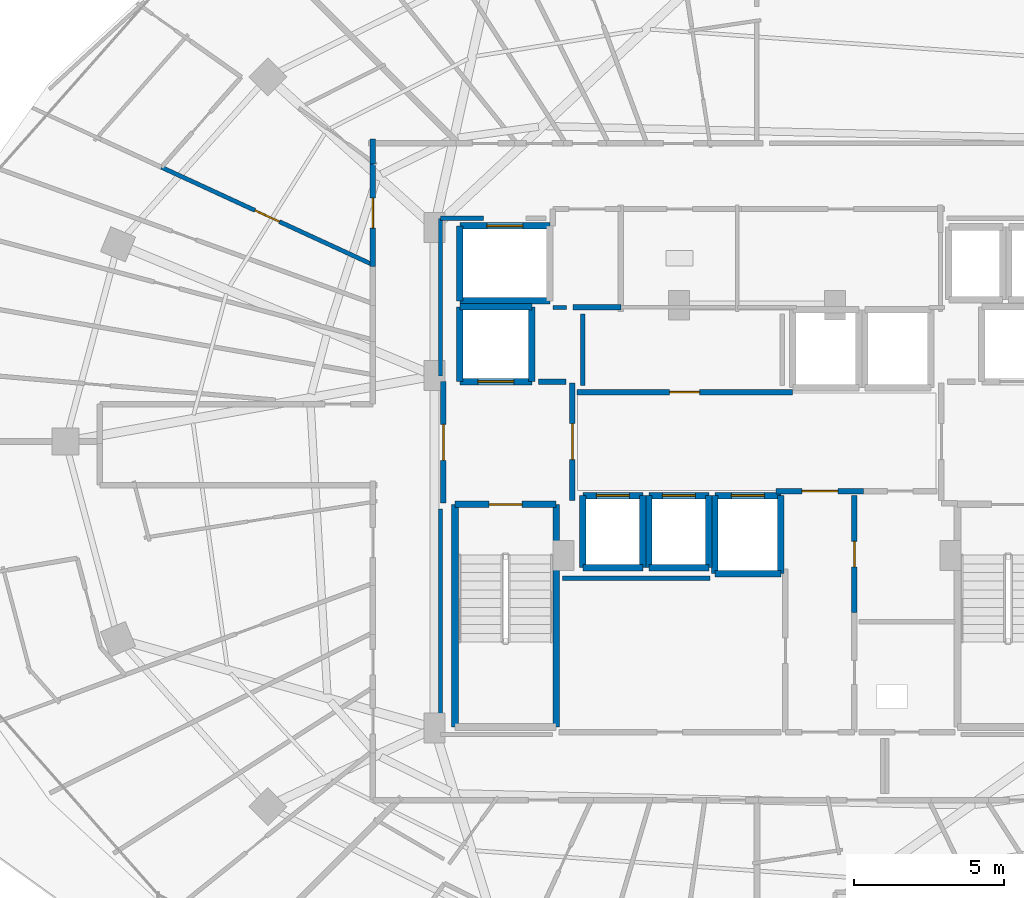
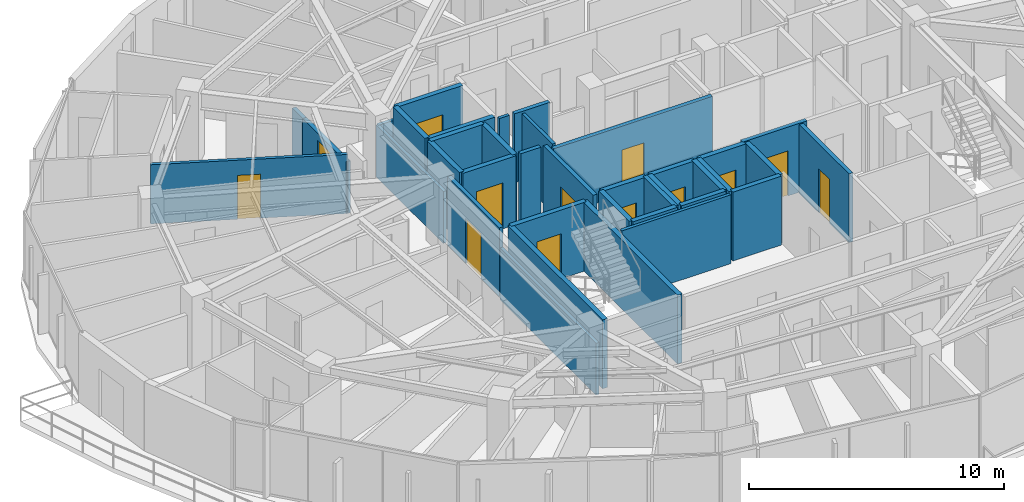
# One storey, part 25 of 32: 38 walls, 13 doors, 13 openings.
"""IFC4 building model written with IfcOpenShell, lengths in metres."""

from ifc_helpers import new_model, si_unit, direction, frame, frame_2d, origin, place, context, subcontext, project, spatial, rectangle, extrude, material, layer, layer_set, type_object, element, fill, save


model = new_model("IFC4")

# Units and contexts
model_context = context("Model", 3, precision=1e-05, world=origin(), true_north=direction((0.0, 1.0)))
body_context = subcontext(model_context, "Body", "Model", "MODEL_VIEW")
ifc_project = project(units=[si_unit("LENGTHUNIT", "METRE"), si_unit("AREAUNIT", "SQUARE_METRE"), si_unit("VOLUMEUNIT", "CUBIC_METRE"), si_unit("PLANEANGLEUNIT", "RADIAN"), si_unit("MASSUNIT", "GRAM", prefix="KILO")], contexts=[model_context])

# Site, building, storey
site_placement = place(None, origin())
site = spatial("IfcSite", under=ifc_project, at=site_placement, CompositionType="ELEMENT")
building_placement = place(site_placement, origin())
building = spatial("IfcBuilding", under=site, at=building_placement, Name="Vorneva Point Tower", CompositionType="ELEMENT")
storey_placement = place(building_placement, frame((0.0, 0.0, 207.199951171875)))
storey = spatial("IfcBuildingStorey", under=building, at=storey_placement, Name="L56", CompositionType="ELEMENT", Elevation=207.199951171875)

# Wall, opening, door
ifc_material_1 = material(Name="Concrete B60 (C50/60)", Category="concrete")
ifc_layer_1 = layer(ifc_material_1, 0.35009765625)
ifc_layer_set_1 = layer_set([ifc_layer_1], Name="Concrete B60 (C50/60)")
wall_type_1 = type_object("IfcWallType", Name="WL-CORE-350", PredefinedType="SHEAR", material=ifc_layer_set_1)
wall_1_placement = place(storey_placement, frame((28.10009765625, 28.0, 0.0), z_axis=(0.0, 0.0, 1.0), x_axis=(1.0, 0.0, 0.0)))
wall_1 = element("IfcWall", 1, at=wall_1_placement, inside=storey, type_object=wall_type_1, Name="L56 Lift FFL1 Shaft Wall -Y", PredefinedType="SHEAR", context=body_context, shape_type="SweptSolid", body=[
    extrude(rectangle(XDim=2.39990234375, YDim=0.219970703125, at=frame_2d((1.199951171875, 0.0))), origin(), (0.0, 0.0, 1.0), 3.2900390625),
])
opening_1_placement = place(wall_1_placement, frame((0.60009765625, 0.0, 0.0)))
opening_1 = element("IfcOpeningElement", 2, at=opening_1_placement, cuts=wall_1, Name="Opening LD-02", PredefinedType="OPENING", context=body_context, shape_type="SweptSolid", body=[
    extrude(rectangle(XDim=1.199951171875, YDim=2.199951171875, at=frame_2d((0.60009765625, 1.10009765625))), frame((0.0, 0.125, 0.0), z_axis=(0.0, -1.0, 0.0), x_axis=(1.0, 0.0, 0.0)), (0.0, 0.0, 1.0), 0.249755859375),
])
ifc_material_2 = material(Name="Brushed stainless steel S304", Category="steel")
door_type_1 = type_object("IfcDoorType", Name="LD-FIRE-1200", OperationType="SLIDING_TO_LEFT", PredefinedType="DOOR", material=ifc_material_2)
door_1_placement = place(opening_1_placement, origin())
door_1 = element("IfcDoor", 3, at=door_1_placement, inside=storey, type_object=door_type_1, Name="L56 Lift FFL1 Sliding Landing Door", OperationType="SLIDING_TO_LEFT", OverallHeight=2.199951171875, OverallWidth=1.199951171875, PredefinedType="DOOR", context=body_context, shape_type="SweptSolid", body=[
    extrude(rectangle(XDim=1.199951171875, YDim=2.199951171875, at=frame_2d((0.60009765625, 1.10009765625))), frame((0.0, 0.02490234375, 0.0), z_axis=(0.0, -1.0, 0.0), x_axis=(1.0, 0.0, 0.0)), (0.0, 0.0, 1.0), 0.050048828125),
])
fill(opening_1, door_1)

# Walls
wall_2_placement = place(storey_placement, frame((30.5, 28.0, 0.0), z_axis=(0.0, 0.0, 1.0), x_axis=(0.0, 1.0, 0.0)))
element("IfcWall", 4, at=wall_2_placement, inside=storey, type_object=wall_type_1, Name="L56 Lift FFL1 Shaft Wall +X", PredefinedType="SHEAR", context=body_context, shape_type="SweptSolid", body=[
    extrude(rectangle(XDim=2.5, YDim=0.219970703125, at=frame_2d((1.25, 0.0))), origin(), (0.0, 0.0, 1.0), 3.2900390625),
])
wall_3_placement = place(storey_placement, frame((30.5, 30.5, 0.0), z_axis=(0.0, 0.0, 1.0), x_axis=(-1.0, 0.0, 0.0)))
element("IfcWall", 5, at=wall_3_placement, inside=storey, type_object=wall_type_1, Name="L56 Lift FFL1 Shaft Wall +Y", PredefinedType="SHEAR", context=body_context, shape_type="SweptSolid", body=[
    extrude(rectangle(XDim=2.39990234375, YDim=0.219970703125, at=frame_2d((1.199951171875, 0.0))), origin(), (0.0, 0.0, 1.0), 3.2900390625),
])
wall_4_placement = place(storey_placement, frame((28.10009765625, 30.5, 0.0), z_axis=(0.0, 0.0, 1.0), x_axis=(0.0, -1.0, 0.0)))
element("IfcWall", 6, at=wall_4_placement, inside=storey, type_object=wall_type_1, Name="L56 Lift FFL1 Shaft Wall -X", PredefinedType="SHEAR", context=body_context, shape_type="SweptSolid", body=[
    extrude(rectangle(XDim=2.5, YDim=0.219970703125, at=frame_2d((1.25, 0.0))), origin(), (0.0, 0.0, 1.0), 3.2900390625),
])

# Wall, opening, door
ifc_material_3 = material(Name="Fire-rated acoustic gypsum stud partition", Category="gypsum")
ifc_layer_2 = layer(ifc_material_3, 0.139892578125)
ifc_layer_set_2 = layer_set([ifc_layer_2], Name="Fire-rated acoustic gypsum stud partition")
wall_type_2 = type_object("IfcWallType", Name="WL-PART-140", PredefinedType="PARTITIONING", material=ifc_layer_set_2)
wall_5_placement = place(storey_placement, frame((18.15185546875, 35.14990234375, 0.0), z_axis=(0.0, 0.0, 1.0), x_axis=(0.908152637685, -0.418639208227, 0.0)))
wall_5 = element("IfcWall", 7, at=wall_5_placement, inside=storey, type_object=wall_type_2, Name="L56 Interior Partition 091", PredefinedType="PARTITIONING", context=body_context, shape_type="SweptSolid", body=[
    extrude(rectangle(XDim=7.760986328125, YDim=0.139892578125, at=frame_2d((3.88037109375, 0.0))), origin(), (0.0, 0.0, 1.0), 2.823974609375),
])
opening_2_placement = place(wall_5_placement, frame((3.430419921875, 0.0, 0.0)))
opening_2 = element("IfcOpeningElement", 8, at=opening_2_placement, cuts=wall_5, Name="Opening ID-01", PredefinedType="OPENING", context=body_context, shape_type="SweptSolid", body=[
    extrude(rectangle(XDim=0.89990234375, YDim=2.10009765625, at=frame_2d((0.449951171875, 1.050048828125))), frame((0.0, 0.0849609375, 0.0), z_axis=(0.0, -1.0, 0.0), x_axis=(1.0, 0.0, 0.0)), (0.0, 0.0, 1.0), 0.169677734375),
])
ifc_material_4 = material(Name="Engineered oak fire-rated door leaf", Category="wood")
door_type_2 = type_object("IfcDoorType", Name="DR-ROOM-900", OperationType="NOTDEFINED", PredefinedType="DOOR", material=ifc_material_4)
door_2_placement = place(opening_2_placement, origin())
door_2 = element("IfcDoor", 9, at=door_2_placement, inside=storey, type_object=door_type_2, Name="L56 Door Living and Dining Room L56-02 / Master Bedroom L56-02.1", OperationType="SINGLE_SWING_RIGHT", OverallHeight=2.10009765625, OverallWidth=0.89990234375, PredefinedType="DOOR", context=body_context, shape_type="SweptSolid", body=[
    extrude(rectangle(XDim=0.89990234375, YDim=2.10009765625, at=frame_2d((0.449951171875, 1.050048828125))), frame((0.0, 0.02490234375, 0.0), z_axis=(0.0, -1.0, 0.0), x_axis=(1.0, 0.0, 0.0)), (0.0, 0.0, 1.0), 0.050048828125),
])
fill(opening_2, door_2)

# Walls
wall_6_placement = place(storey_placement, frame((31.199951171875, 30.47998046875, 0.0), z_axis=(0.0, 0.0, 1.0), x_axis=(1.0, 0.0, 0.0)))
element("IfcWall", 10, at=wall_6_placement, inside=storey, type_object=wall_type_2, Name="L56 Interior Closure Partition 151", PredefinedType="PARTITIONING", context=body_context, shape_type="SweptSolid", body=[
    extrude(rectangle(XDim=0.449951171875, YDim=0.139892578125, at=frame_2d((0.22509765625, 0.0))), origin(), (0.0, 0.0, 1.0), 3.2900390625),
])
wall_7_placement = place(storey_placement, frame((36.43896484375, 21.449951171875, 0.0), z_axis=(0.0, 0.0, 1.0), x_axis=(-1.0, 0.0, 0.0)))
element("IfcWall", 11, at=wall_7_placement, inside=storey, type_object=wall_type_2, Name="L56 Interior Closure Partition 154", PredefinedType="PARTITIONING", context=body_context, shape_type="SweptSolid", body=[
    extrude(rectangle(XDim=4.908935546875, YDim=0.139892578125, at=frame_2d((2.45458984375, 0.0))), origin(), (0.0, 0.0, 1.0), 3.2900390625),
])
wall_8_placement = place(storey_placement, frame((32.199951171875, 30.260009765625, 0.0), z_axis=(0.0, 0.0, 1.0), x_axis=(0.0, -1.0, 0.0)))
element("IfcWall", 12, at=wall_8_placement, inside=storey, type_object=wall_type_2, Name="L56 Interior Closure Partition 155", PredefinedType="PARTITIONING", context=body_context, shape_type="SweptSolid", body=[
    extrude(rectangle(XDim=2.389892578125, YDim=0.139892578125, at=frame_2d((1.19482421875, 0.0))), origin(), (0.0, 0.0, 1.0), 3.2900390625),
])
wall_9_placement = place(storey_placement, frame((28.89404296875, 33.449951171875, 0.0), z_axis=(0.0, 0.0, 1.0), x_axis=(-1.0, 0.0, 0.0)))
element("IfcWall", 13, at=wall_9_placement, inside=storey, type_object=wall_type_2, Name="L56 Interior Closure Partition 163", PredefinedType="PARTITIONING", context=body_context, shape_type="SweptSolid", body=[
    extrude(rectangle(XDim=1.444091796875, YDim=0.139892578125, at=frame_2d((0.72216796875, 0.0))), origin(), (0.0, 0.0, 1.0), 2.48193359375),
])
wall_10_placement = place(storey_placement, frame((27.449951171875, 33.449951171875, 0.0), z_axis=(0.0, 0.0, 1.0), x_axis=(0.0, -1.0, 0.0)))
element("IfcWall", 14, at=wall_10_placement, inside=storey, type_object=wall_type_2, Name="L56 Interior Closure Partition 164", PredefinedType="PARTITIONING", context=body_context, shape_type="SweptSolid", body=[
    extrude(rectangle(XDim=5.25390625, YDim=0.139892578125, at=frame_2d((2.626953125, 0.0))), origin(), (0.0, 0.0, 1.0), 2.48193359375),
])
wall_11_placement = place(storey_placement, frame((27.449951171875, 23.75390625, 0.0), z_axis=(0.0, 0.0, 1.0), x_axis=(0.0, -1.0, 0.0)))
element("IfcWall", 15, at=wall_11_placement, inside=storey, type_object=wall_type_2, Name="L56 Interior Closure Partition 165", PredefinedType="PARTITIONING", context=body_context, shape_type="SweptSolid", body=[
    extrude(rectangle(XDim=7.513916015625, YDim=0.139892578125, at=frame_2d((3.7568359375, 0.0))), origin(), (0.0, 0.0, 1.0), 2.48193359375),
])

# Wall, opening, door
ifc_material_5 = material(Name="Autoclaved aerated concrete blockwork", Category="masonry")
ifc_layer_3 = layer(ifc_material_5, 0.179931640625)
ifc_layer_set_3 = layer_set([ifc_layer_3], Name="Autoclaved aerated concrete blockwork")
wall_type_3 = type_object("IfcWallType", Name="WL-PART-180", PredefinedType="PARTITIONING", material=ifc_layer_set_3)
wall_12_placement = place(storey_placement, frame((31.85009765625, 24.044921875, 0.0), z_axis=(0.0, 0.0, 1.0), x_axis=(0.0, 1.0, 0.0)))
wall_12 = element("IfcWall", 16, at=wall_12_placement, inside=storey, type_object=wall_type_3, Name="L56 Interior Partition 001", PredefinedType="PARTITIONING", context=body_context, shape_type="SweptSolid", body=[
    extrude(rectangle(XDim=3.91015625, YDim=0.179931640625, at=frame_2d((1.955078125, 0.0))), origin(), (0.0, 0.0, 1.0), 3.2900390625),
])
opening_3_placement = place(wall_12_placement, frame((1.35498046875, 0.0, 0.0)))
opening_3 = element("IfcOpeningElement", 17, at=opening_3_placement, cuts=wall_12, Name="Opening FD-02", PredefinedType="OPENING", context=body_context, shape_type="SweptSolid", body=[
    extrude(rectangle(XDim=1.199951171875, YDim=2.14990234375, at=frame_2d((0.60009765625, 1.074951171875))), frame((0.0, 0.10498046875, 0.0), z_axis=(0.0, -1.0, 0.0), x_axis=(1.0, 0.0, 0.0)), (0.0, 0.0, 1.0), 0.209716796875),
])
ifc_material_6 = material(Name="Fire-rated powder-coated steel", Category="steel")
door_type_3 = type_object("IfcDoorType", Name="DR-FFL-1200", OperationType="NOTDEFINED", PredefinedType="DOOR", material=ifc_material_6)
door_3_placement = place(opening_3_placement, origin())
door_3 = element("IfcDoor", 18, at=door_3_placement, inside=storey, type_object=door_type_3, Name="L56 Door West Firefighting Lobby / Central Lift Lobby", OperationType="SINGLE_SWING_RIGHT", OverallHeight=2.14990234375, OverallWidth=1.199951171875, PredefinedType="DOOR", context=body_context, shape_type="SweptSolid", body=[
    extrude(rectangle(XDim=1.199951171875, YDim=2.14990234375, at=frame_2d((0.60009765625, 1.074951171875))), frame((0.0, 0.02490234375, 0.0), z_axis=(0.0, -1.0, 0.0), x_axis=(1.0, 0.0, 0.0)), (0.0, 0.0, 1.0), 0.050048828125),
])
fill(opening_3, door_3)

wall_13_placement = place(storey_placement, frame((27.550048828125, 28.0, 0.0), z_axis=(0.0, 0.0, 1.0), x_axis=(0.0, -1.0, 0.0)))
wall_13 = element("IfcWall", 19, at=wall_13_placement, inside=storey, type_object=wall_type_3, Name="L56 Interior Partition 002", PredefinedType="PARTITIONING", context=body_context, shape_type="SweptSolid", body=[
    extrude(rectangle(XDim=4.050048828125, YDim=0.179931640625, at=frame_2d((2.02490234375, 0.0))), origin(), (0.0, 0.0, 1.0), 3.2900390625),
])
opening_4_placement = place(wall_13_placement, frame((1.425048828125, 0.0, 0.0)))
opening_4 = element("IfcOpeningElement", 20, at=opening_4_placement, cuts=wall_13, Name="Opening FD-02", PredefinedType="OPENING", context=body_context, shape_type="SweptSolid", body=[
    extrude(rectangle(XDim=1.199951171875, YDim=2.14990234375, at=frame_2d((0.60009765625, 1.074951171875))), frame((0.0, 0.10498046875, 0.0), z_axis=(0.0, -1.0, 0.0), x_axis=(1.0, 0.0, 0.0)), (0.0, 0.0, 1.0), 0.209716796875),
])
door_4_placement = place(opening_4_placement, origin())
door_4 = element("IfcDoor", 21, at=door_4_placement, inside=storey, type_object=door_type_3, Name="L56 Door West Firefighting Lobby / L56 Circulation Corridor", OperationType="SINGLE_SWING_RIGHT", OverallHeight=2.14990234375, OverallWidth=1.199951171875, PredefinedType="DOOR", context=body_context, shape_type="SweptSolid", body=[
    extrude(rectangle(XDim=1.199951171875, YDim=2.14990234375, at=frame_2d((0.60009765625, 1.074951171875))), frame((0.0, 0.02490234375, 0.0), z_axis=(0.0, -1.0, 0.0), x_axis=(1.0, 0.0, 0.0)), (0.0, 0.0, 1.0), 0.050048828125),
])
fill(opening_4, door_4)

# Wall
wall_14_placement = place(storey_placement, frame((31.8701171875, 30.47998046875, 0.0), z_axis=(0.0, 0.0, 1.0), x_axis=(1.0, 0.0, 0.0)))
element("IfcWall", 22, at=wall_14_placement, inside=storey, type_object=wall_type_3, Name="L56 Interior Partition 007", PredefinedType="PARTITIONING", context=body_context, shape_type="SweptSolid", body=[
    extrude(rectangle(XDim=1.599853515625, YDim=0.179931640625, at=frame_2d((0.7998046875, 0.0))), origin(), (0.0, 0.0, 1.0), 3.2900390625),
])

# Wall, opening, door
wall_15_placement = place(storey_placement, frame((38.64501953125, 24.35009765625, 0.0), z_axis=(0.0, 0.0, 1.0), x_axis=(1.0, 0.0, 0.0)))
wall_15 = element("IfcWall", 23, at=wall_15_placement, inside=storey, type_object=wall_type_3, Name="L56 Interior Partition 010", PredefinedType="PARTITIONING", context=body_context, shape_type="SweptSolid", body=[
    extrude(rectangle(XDim=2.909912109375, YDim=0.179931640625, at=frame_2d((1.455078125, 0.0))), origin(), (0.0, 0.0, 1.0), 3.2900390625),
])
opening_5_placement = place(wall_15_placement, frame((0.85498046875, 0.0, 0.0)))
opening_5 = element("IfcOpeningElement", 24, at=opening_5_placement, cuts=wall_15, Name="Opening FD-02", PredefinedType="OPENING", context=body_context, shape_type="SweptSolid", body=[
    extrude(rectangle(XDim=1.199951171875, YDim=2.14990234375, at=frame_2d((0.60009765625, 1.074951171875))), frame((0.0, 0.10498046875, 0.0), z_axis=(0.0, -1.0, 0.0), x_axis=(1.0, 0.0, 0.0)), (0.0, 0.0, 1.0), 0.209716796875),
])
door_5_placement = place(opening_5_placement, origin())
door_5 = element("IfcDoor", 25, at=door_5_placement, inside=storey, type_object=door_type_3, Name="L56 Door Central Lift Lobby / Core Service Lobby", OperationType="SINGLE_SWING_LEFT", OverallHeight=2.14990234375, OverallWidth=1.199951171875, PredefinedType="DOOR", context=body_context, shape_type="SweptSolid", body=[
    extrude(rectangle(XDim=1.199951171875, YDim=2.14990234375, at=frame_2d((0.60009765625, 1.074951171875))), frame((0.0, 0.02490234375, 0.0), z_axis=(0.0, -1.0, 0.0), x_axis=(1.0, 0.0, 0.0)), (0.0, 0.0, 1.0), 0.050048828125),
])
fill(opening_5, door_5)

wall_16_placement = place(storey_placement, frame((39.18994140625, 27.64990234375, 0.0), z_axis=(0.0, 0.0, 1.0), x_axis=(-1.0, 0.0, 0.0)))
wall_16 = element("IfcWall", 26, at=wall_16_placement, inside=storey, type_object=wall_type_3, Name="L56 Interior Partition 012", PredefinedType="PARTITIONING", context=body_context, shape_type="SweptSolid", body=[
    extrude(rectangle(XDim=7.18994140625, YDim=0.179931640625, at=frame_2d((3.594970703125, 0.0))), origin(), (0.0, 0.0, 1.0), 3.2900390625),
])
opening_6_placement = place(wall_16_placement, frame((3.094970703125, 0.0, 0.0)))
opening_6 = element("IfcOpeningElement", 27, at=opening_6_placement, cuts=wall_16, Name="Opening UD-01", PredefinedType="OPENING", context=body_context, shape_type="SweptSolid", body=[
    extrude(rectangle(XDim=1.0, YDim=2.14990234375, at=frame_2d((0.5, 1.074951171875))), frame((0.0, 0.10498046875, 0.0), z_axis=(0.0, -1.0, 0.0), x_axis=(1.0, 0.0, 0.0)), (0.0, 0.0, 1.0), 0.209716796875),
])
door_type_4 = type_object("IfcDoorType", Name="DR-UNIT-1000", OperationType="NOTDEFINED", PredefinedType="DOOR", material=ifc_material_4)
door_6_placement = place(opening_6_placement, origin())
door_6 = element("IfcDoor", 28, at=door_6_placement, inside=storey, type_object=door_type_4, Name="L56 Door Central Lift Lobby / Reclaimed Core Meeting Room", OperationType="SINGLE_SWING_LEFT", OverallHeight=2.14990234375, OverallWidth=1.0, PredefinedType="DOOR", context=body_context, shape_type="SweptSolid", body=[
    extrude(rectangle(XDim=1.0, YDim=2.14990234375, at=frame_2d((0.5, 1.074951171875))), frame((0.0, 0.02490234375, 0.0), z_axis=(0.0, -1.0, 0.0), x_axis=(1.0, 0.0, 0.0)), (0.0, 0.0, 1.0), 0.050048828125),
])
fill(opening_6, door_6)

wall_17_placement = place(storey_placement, frame((41.25, 20.304931640625, 0.0), z_axis=(0.0, 0.0, 1.0), x_axis=(0.0, 1.0, 0.0)))
wall_17 = element("IfcWall", 29, at=wall_17_placement, inside=storey, type_object=wall_type_3, Name="L56 Interior Partition 014", PredefinedType="PARTITIONING", context=body_context, shape_type="SweptSolid", body=[
    extrude(rectangle(XDim=3.89501953125, YDim=0.179931640625, at=frame_2d((1.947509765625, 0.0))), origin(), (0.0, 0.0, 1.0), 3.2900390625),
])
opening_7_placement = place(wall_17_placement, frame((1.5224609375, 0.0, 0.0)))
opening_7 = element("IfcOpeningElement", 30, at=opening_7_placement, cuts=wall_17, Name="Opening ID-02", PredefinedType="OPENING", context=body_context, shape_type="SweptSolid", body=[
    extrude(rectangle(XDim=0.85009765625, YDim=2.10009765625, at=frame_2d((0.425048828125, 1.050048828125))), frame((0.0, 0.10498046875, 0.0), z_axis=(0.0, -1.0, 0.0), x_axis=(1.0, 0.0, 0.0)), (0.0, 0.0, 1.0), 0.209716796875),
])
door_type_5 = type_object("IfcDoorType", Name="DR-BATH-850", OperationType="NOTDEFINED", PredefinedType="DOOR", material=ifc_material_4)
door_7_placement = place(opening_7_placement, origin())
door_7 = element("IfcDoor", 31, at=door_7_placement, inside=storey, type_object=door_type_5, Name="L56 Door Core Service Lobby / Cleaners Store", OperationType="SINGLE_SWING_LEFT", OverallHeight=2.10009765625, OverallWidth=0.85009765625, PredefinedType="DOOR", context=body_context, shape_type="SweptSolid", body=[
    extrude(rectangle(XDim=0.85009765625, YDim=2.10009765625, at=frame_2d((0.425048828125, 1.050048828125))), frame((0.0, 0.02490234375, 0.0), z_axis=(0.0, -1.0, 0.0), x_axis=(1.0, 0.0, 0.0)), (0.0, 0.0, 1.0), 0.050048828125),
])
fill(opening_7, door_7)

wall_18_placement = place(storey_placement, frame((25.199951171875, 35.404052734375, 0.0), z_axis=(0.0, 0.0, 1.0), x_axis=(0.0, -1.0, 0.0)))
wall_18 = element("IfcWall", 32, at=wall_18_placement, inside=storey, type_object=wall_type_3, Name="L56 Interior Partition 032", PredefinedType="PARTITIONING", context=body_context, shape_type="SweptSolid", body=[
    extrude(rectangle(XDim=3.56298828125, YDim=0.179931640625, at=frame_2d((1.781494140625, 0.0))), origin(), (0.0, 0.0, 1.0), 2.48193359375),
])
opening_8_placement = place(wall_18_placement, frame((1.281494140625, 0.0, 0.0)))
opening_8 = element("IfcOpeningElement", 33, at=opening_8_placement, cuts=wall_18, Name="Opening UD-01", PredefinedType="OPENING", context=body_context, shape_type="SweptSolid", body=[
    extrude(rectangle(XDim=1.0, YDim=2.14990234375, at=frame_2d((0.5, 1.074951171875))), frame((0.0, 0.10498046875, 0.0), z_axis=(0.0, -1.0, 0.0), x_axis=(1.0, 0.0, 0.0)), (0.0, 0.0, 1.0), 0.209716796875),
])
door_8_placement = place(opening_8_placement, origin())
door_8 = element("IfcDoor", 34, at=door_8_placement, inside=storey, type_object=door_type_4, Name="L56 Door L56 Circulation Corridor / Living and Dining Room L56-02", OperationType="SINGLE_SWING_LEFT", OverallHeight=2.14990234375, OverallWidth=1.0, PredefinedType="DOOR", context=body_context, shape_type="SweptSolid", body=[
    extrude(rectangle(XDim=1.0, YDim=2.14990234375, at=frame_2d((0.5, 1.074951171875))), frame((0.0, 0.02490234375, 0.0), z_axis=(0.0, -1.0, 0.0), x_axis=(1.0, 0.0, 0.0)), (0.0, 0.0, 1.0), 0.050048828125),
])
fill(opening_8, door_8)

# Walls
wall_19_placement = place(storey_placement, frame((25.199951171875, 36.090087890625, 0.0), z_axis=(0.0, 0.0, 1.0), x_axis=(0.0, -1.0, 0.0)))
element("IfcWall", 35, at=wall_19_placement, inside=storey, type_object=wall_type_3, Name="L56 Interior Partition 034", PredefinedType="PARTITIONING", context=body_context, shape_type="SweptSolid", body=[
    extrude(rectangle(XDim=0.826171875, YDim=0.179931640625, at=frame_2d((0.4130859375, 0.0))), origin(), (0.0, 0.0, 1.0), 2.48193359375),
])
wall_20_placement = place(storey_placement, frame((31.635009765625, 28.0, 0.0), z_axis=(0.0, 0.0, 1.0), x_axis=(-1.0, 0.0, 0.0)))
element("IfcWall", 36, at=wall_20_placement, inside=storey, type_object=wall_type_3, Name="L56 Interior Closure Partition 149", PredefinedType="PARTITIONING", context=body_context, shape_type="SweptSolid", body=[
    extrude(rectangle(XDim=0.9150390625, YDim=0.179931640625, at=frame_2d((0.45751953125, 0.0))), origin(), (0.0, 0.0, 1.0), 3.2900390625),
])

# Wall, opening, door
ifc_material_7 = material(Name="Concrete B50 (C40/50)", Category="concrete")
ifc_layer_4 = layer(ifc_material_7, 0.219970703125)
ifc_layer_set_4 = layer_set([ifc_layer_4], Name="Concrete B50 (C40/50)")
wall_type_4 = type_object("IfcWallType", Name="WL-SHFT-220", PredefinedType="SOLIDWALL", material=ifc_layer_set_4)
wall_21_placement = place(storey_placement, frame((27.93994140625, 23.909912109375, 0.0), z_axis=(0.0, 0.0, 1.0), x_axis=(1.0, 0.0, 0.0)))
wall_21 = element("IfcWall", 37, at=wall_21_placement, inside=storey, type_object=wall_type_4, Name="L56 Exit Stair ST1 Shaft Wall near", PredefinedType="SOLIDWALL", context=body_context, shape_type="SweptSolid", body=[
    extrude(rectangle(XDim=3.3701171875, YDim=0.219970703125, at=frame_2d((1.68505859375, 0.0))), origin(), (0.0, 0.0, 1.0), 3.2900390625),
])
opening_9_placement = place(wall_21_placement, frame((1.135009765625, 0.0, 0.0)))
opening_9 = element("IfcOpeningElement", 38, at=opening_9_placement, cuts=wall_21, Name="Opening FD-01", PredefinedType="OPENING", context=body_context, shape_type="SweptSolid", body=[
    extrude(rectangle(XDim=1.10009765625, YDim=2.14990234375, at=frame_2d((0.550048828125, 1.074951171875))), frame((0.0, 0.125, 0.0), z_axis=(0.0, -1.0, 0.0), x_axis=(1.0, 0.0, 0.0)), (0.0, 0.0, 1.0), 0.249755859375),
])
door_type_6 = type_object("IfcDoorType", Name="DR-STAIR-1100", OperationType="NOTDEFINED", PredefinedType="DOOR", material=ifc_material_6)
door_9_placement = place(opening_9_placement, origin())
door_9 = element("IfcDoor", 39, at=door_9_placement, inside=storey, type_object=door_type_6, Name="L56 Exit Stair ST1 Fire Door", OperationType="SINGLE_SWING_RIGHT", OverallHeight=2.14990234375, OverallWidth=1.10009765625, PredefinedType="DOOR", context=body_context, shape_type="SweptSolid", body=[
    extrude(rectangle(XDim=1.10009765625, YDim=2.14990234375, at=frame_2d((0.550048828125, 1.074951171875))), frame((0.0, 0.02490234375, 0.0), z_axis=(0.0, -1.0, 0.0), x_axis=(1.0, 0.0, 0.0)), (0.0, 0.0, 1.0), 0.050048828125),
])
fill(opening_9, door_9)

# Walls
for number, where, z_axis, x_axis, name in (
    (40, (31.31005859375, 23.909912109375, 0.0), (0.0, 0.0, 1.0), (0.0, -1.0, 0.0), "L56 Exit Stair ST1 Shaft Wall right"),
    (41, (27.93994140625, 16.489990234375, 0.0), (0.0, 0.0, 1.0), (0.0, 1.0, 0.0), "L56 Exit Stair ST1 Shaft Wall left"),
):
    element("IfcWall", number, at=place(storey_placement, frame(where, z_axis=z_axis, x_axis=x_axis)), inside=storey, type_object=wall_type_4, Name=name, PredefinedType="SOLIDWALL", context=body_context, shape_type="SweptSolid", body=[
        extrude(rectangle(XDim=7.419921875, YDim=0.219970703125, at=frame_2d((3.7099609375, 0.0))), origin(), (0.0, 0.0, 1.0), 3.2900390625),
    ])
wall_22_placement = place(storey_placement, frame((32.199951171875, 21.800048828125, 0.0), z_axis=(0.0, 0.0, 1.0), x_axis=(1.0, 0.0, 0.0)))
element("IfcWall", 42, at=wall_22_placement, inside=storey, type_object=wall_type_4, Name="L56 Lift PL4 Shaft Wall -Y", PredefinedType="SOLIDWALL", context=body_context, shape_type="SweptSolid", body=[
    extrude(rectangle(XDim=2.0, YDim=0.219970703125, at=frame_2d((1.0, 0.0))), origin(), (0.0, 0.0, 1.0), 3.2900390625),
])
wall_23_placement = place(storey_placement, frame((34.199951171875, 21.800048828125, 0.0), z_axis=(0.0, 0.0, 1.0), x_axis=(0.0, 1.0, 0.0)))
element("IfcWall", 43, at=wall_23_placement, inside=storey, type_object=wall_type_4, Name="L56 Lift PL4 Shaft Wall +X", PredefinedType="SOLIDWALL", context=body_context, shape_type="SweptSolid", body=[
    extrude(rectangle(XDim=2.39990234375, YDim=0.219970703125, at=frame_2d((1.199951171875, 0.0))), origin(), (0.0, 0.0, 1.0), 3.2900390625),
])

# Wall, opening, door
wall_24_placement = place(storey_placement, frame((34.199951171875, 24.199951171875, 0.0), z_axis=(0.0, 0.0, 1.0), x_axis=(-1.0, 0.0, 0.0)))
wall_24 = element("IfcWall", 44, at=wall_24_placement, inside=storey, type_object=wall_type_4, Name="L56 Lift PL4 Shaft Wall +Y", PredefinedType="SOLIDWALL", context=body_context, shape_type="SweptSolid", body=[
    extrude(rectangle(XDim=2.0, YDim=0.219970703125, at=frame_2d((1.0, 0.0))), origin(), (0.0, 0.0, 1.0), 3.2900390625),
])
opening_10_placement = place(wall_24_placement, frame((0.449951171875, 0.0, 0.0)))
opening_10 = element("IfcOpeningElement", 45, at=opening_10_placement, cuts=wall_24, Name="Opening LD-01", PredefinedType="OPENING", context=body_context, shape_type="SweptSolid", body=[
    extrude(rectangle(XDim=1.10009765625, YDim=2.199951171875, at=frame_2d((0.550048828125, 1.10009765625))), frame((0.0, 0.125, 0.0), z_axis=(0.0, -1.0, 0.0), x_axis=(1.0, 0.0, 0.0)), (0.0, 0.0, 1.0), 0.249755859375),
])
door_type_7 = type_object("IfcDoorType", Name="LD-PASS-1100", OperationType="SLIDING_TO_LEFT", PredefinedType="DOOR", material=ifc_material_2)
door_10_placement = place(opening_10_placement, origin())
door_10 = element("IfcDoor", 46, at=door_10_placement, inside=storey, type_object=door_type_7, Name="L56 Lift PL4 Sliding Landing Door", OperationType="SLIDING_TO_LEFT", OverallHeight=2.199951171875, OverallWidth=1.10009765625, PredefinedType="DOOR", context=body_context, shape_type="SweptSolid", body=[
    extrude(rectangle(XDim=1.10009765625, YDim=2.199951171875, at=frame_2d((0.550048828125, 1.10009765625))), frame((0.0, 0.02490234375, 0.0), z_axis=(0.0, -1.0, 0.0), x_axis=(1.0, 0.0, 0.0)), (0.0, 0.0, 1.0), 0.050048828125),
])
fill(opening_10, door_10)

# Walls
wall_25_placement = place(storey_placement, frame((32.199951171875, 24.199951171875, 0.0), z_axis=(0.0, 0.0, 1.0), x_axis=(0.0, -1.0, 0.0)))
element("IfcWall", 47, at=wall_25_placement, inside=storey, type_object=wall_type_4, Name="L56 Lift PL4 Shaft Wall -X", PredefinedType="SOLIDWALL", context=body_context, shape_type="SweptSolid", body=[
    extrude(rectangle(XDim=2.39990234375, YDim=0.219970703125, at=frame_2d((1.199951171875, 0.0))), origin(), (0.0, 0.0, 1.0), 3.2900390625),
])
wall_26_placement = place(storey_placement, frame((34.39990234375, 21.800048828125, 0.0), z_axis=(0.0, 0.0, 1.0), x_axis=(1.0, 0.0, 0.0)))
element("IfcWall", 48, at=wall_26_placement, inside=storey, type_object=wall_type_4, Name="L56 Lift PL5 Shaft Wall -Y", PredefinedType="SOLIDWALL", context=body_context, shape_type="SweptSolid", body=[
    extrude(rectangle(XDim=2.0, YDim=0.219970703125, at=frame_2d((1.0, 0.0))), origin(), (0.0, 0.0, 1.0), 3.2900390625),
])
wall_27_placement = place(storey_placement, frame((36.39990234375, 21.800048828125, 0.0), z_axis=(0.0, 0.0, 1.0), x_axis=(0.0, 1.0, 0.0)))
element("IfcWall", 49, at=wall_27_placement, inside=storey, type_object=wall_type_4, Name="L56 Lift PL5 Shaft Wall +X", PredefinedType="SOLIDWALL", context=body_context, shape_type="SweptSolid", body=[
    extrude(rectangle(XDim=2.39990234375, YDim=0.219970703125, at=frame_2d((1.199951171875, 0.0))), origin(), (0.0, 0.0, 1.0), 3.2900390625),
])

# Wall, opening, door
wall_28_placement = place(storey_placement, frame((36.39990234375, 24.199951171875, 0.0), z_axis=(0.0, 0.0, 1.0), x_axis=(-1.0, 0.0, 0.0)))
wall_28 = element("IfcWall", 50, at=wall_28_placement, inside=storey, type_object=wall_type_4, Name="L56 Lift PL5 Shaft Wall +Y", PredefinedType="SOLIDWALL", context=body_context, shape_type="SweptSolid", body=[
    extrude(rectangle(XDim=2.0, YDim=0.219970703125, at=frame_2d((1.0, 0.0))), origin(), (0.0, 0.0, 1.0), 3.2900390625),
])
opening_11_placement = place(wall_28_placement, frame((0.449951171875, 0.0, 0.0)))
opening_11 = element("IfcOpeningElement", 51, at=opening_11_placement, cuts=wall_28, Name="Opening LD-01", PredefinedType="OPENING", context=body_context, shape_type="SweptSolid", body=[
    extrude(rectangle(XDim=1.10009765625, YDim=2.199951171875, at=frame_2d((0.550048828125, 1.10009765625))), frame((0.0, 0.125, 0.0), z_axis=(0.0, -1.0, 0.0), x_axis=(1.0, 0.0, 0.0)), (0.0, 0.0, 1.0), 0.249755859375),
])
door_11_placement = place(opening_11_placement, origin())
door_11 = element("IfcDoor", 52, at=door_11_placement, inside=storey, type_object=door_type_7, Name="L56 Lift PL5 Sliding Landing Door", OperationType="SLIDING_TO_LEFT", OverallHeight=2.199951171875, OverallWidth=1.10009765625, PredefinedType="DOOR", context=body_context, shape_type="SweptSolid", body=[
    extrude(rectangle(XDim=1.10009765625, YDim=2.199951171875, at=frame_2d((0.550048828125, 1.10009765625))), frame((0.0, 0.02490234375, 0.0), z_axis=(0.0, -1.0, 0.0), x_axis=(1.0, 0.0, 0.0)), (0.0, 0.0, 1.0), 0.050048828125),
])
fill(opening_11, door_11)

# Walls
wall_29_placement = place(storey_placement, frame((34.39990234375, 24.199951171875, 0.0), z_axis=(0.0, 0.0, 1.0), x_axis=(0.0, -1.0, 0.0)))
element("IfcWall", 53, at=wall_29_placement, inside=storey, type_object=wall_type_4, Name="L56 Lift PL5 Shaft Wall -X", PredefinedType="SOLIDWALL", context=body_context, shape_type="SweptSolid", body=[
    extrude(rectangle(XDim=2.39990234375, YDim=0.219970703125, at=frame_2d((1.199951171875, 0.0))), origin(), (0.0, 0.0, 1.0), 3.2900390625),
])
wall_30_placement = place(storey_placement, frame((36.60009765625, 21.60009765625, 0.0), z_axis=(0.0, 0.0, 1.0), x_axis=(1.0, 0.0, 0.0)))
element("IfcWall", 54, at=wall_30_placement, inside=storey, type_object=wall_type_4, Name="L56 Lift PL6 Shaft Wall -Y", PredefinedType="SOLIDWALL", context=body_context, shape_type="SweptSolid", body=[
    extrude(rectangle(XDim=2.199951171875, YDim=0.219970703125, at=frame_2d((1.10009765625, 0.0))), origin(), (0.0, 0.0, 1.0), 3.2900390625),
])
wall_31_placement = place(storey_placement, frame((38.800048828125, 21.60009765625, 0.0), z_axis=(0.0, 0.0, 1.0), x_axis=(0.0, 1.0, 0.0)))
element("IfcWall", 55, at=wall_31_placement, inside=storey, type_object=wall_type_4, Name="L56 Lift PL6 Shaft Wall +X", PredefinedType="SOLIDWALL", context=body_context, shape_type="SweptSolid", body=[
    extrude(rectangle(XDim=2.599853515625, YDim=0.219970703125, at=frame_2d((1.2998046875, 0.0))), origin(), (0.0, 0.0, 1.0), 3.2900390625),
])

# Wall, opening, door
wall_32_placement = place(storey_placement, frame((38.800048828125, 24.199951171875, 0.0), z_axis=(0.0, 0.0, 1.0), x_axis=(-1.0, 0.0, 0.0)))
wall_32 = element("IfcWall", 56, at=wall_32_placement, inside=storey, type_object=wall_type_4, Name="L56 Lift PL6 Shaft Wall +Y", PredefinedType="SOLIDWALL", context=body_context, shape_type="SweptSolid", body=[
    extrude(rectangle(XDim=2.199951171875, YDim=0.219970703125, at=frame_2d((1.10009765625, 0.0))), origin(), (0.0, 0.0, 1.0), 3.2900390625),
])
opening_12_placement = place(wall_32_placement, frame((0.550048828125, 0.0, 0.0)))
opening_12 = element("IfcOpeningElement", 57, at=opening_12_placement, cuts=wall_32, Name="Opening LD-01", PredefinedType="OPENING", context=body_context, shape_type="SweptSolid", body=[
    extrude(rectangle(XDim=1.10009765625, YDim=2.199951171875, at=frame_2d((0.550048828125, 1.10009765625))), frame((0.0, 0.125, 0.0), z_axis=(0.0, -1.0, 0.0), x_axis=(1.0, 0.0, 0.0)), (0.0, 0.0, 1.0), 0.249755859375),
])
door_12_placement = place(opening_12_placement, origin())
door_12 = element("IfcDoor", 58, at=door_12_placement, inside=storey, type_object=door_type_7, Name="L56 Lift PL6 Sliding Landing Door", OperationType="SLIDING_TO_LEFT", OverallHeight=2.199951171875, OverallWidth=1.10009765625, PredefinedType="DOOR", context=body_context, shape_type="SweptSolid", body=[
    extrude(rectangle(XDim=1.10009765625, YDim=2.199951171875, at=frame_2d((0.550048828125, 1.10009765625))), frame((0.0, 0.02490234375, 0.0), z_axis=(0.0, -1.0, 0.0), x_axis=(1.0, 0.0, 0.0)), (0.0, 0.0, 1.0), 0.050048828125),
])
fill(opening_12, door_12)

# Walls
wall_33_placement = place(storey_placement, frame((36.60009765625, 24.199951171875, 0.0), z_axis=(0.0, 0.0, 1.0), x_axis=(0.0, -1.0, 0.0)))
element("IfcWall", 59, at=wall_33_placement, inside=storey, type_object=wall_type_4, Name="L56 Lift PL6 Shaft Wall -X", PredefinedType="SOLIDWALL", context=body_context, shape_type="SweptSolid", body=[
    extrude(rectangle(XDim=2.599853515625, YDim=0.219970703125, at=frame_2d((1.2998046875, 0.0))), origin(), (0.0, 0.0, 1.0), 3.2900390625),
])
wall_34_placement = place(storey_placement, frame((28.10009765625, 30.699951171875, 0.0), z_axis=(0.0, 0.0, 1.0), x_axis=(1.0, 0.0, 0.0)))
element("IfcWall", 60, at=wall_34_placement, inside=storey, type_object=wall_type_4, Name="L56 Lift SVL1 Shaft Wall -Y", PredefinedType="SOLIDWALL", context=body_context, shape_type="SweptSolid", body=[
    extrude(rectangle(XDim=3.0, YDim=0.219970703125, at=frame_2d((1.5, 0.0))), origin(), (0.0, 0.0, 1.0), 3.2900390625),
])

# Wall, opening, door
wall_35_placement = place(storey_placement, frame((31.10009765625, 33.199951171875, 0.0), z_axis=(0.0, 0.0, 1.0), x_axis=(-1.0, 0.0, 0.0)))
wall_35 = element("IfcWall", 61, at=wall_35_placement, inside=storey, type_object=wall_type_4, Name="L56 Lift SVL1 Shaft Wall +Y", PredefinedType="SOLIDWALL", context=body_context, shape_type="SweptSolid", body=[
    extrude(rectangle(XDim=3.0, YDim=0.219970703125, at=frame_2d((1.5, 0.0))), origin(), (0.0, 0.0, 1.0), 3.2900390625),
])
opening_13_placement = place(wall_35_placement, frame((0.89990234375, 0.0, 0.0)))
opening_13 = element("IfcOpeningElement", 62, at=opening_13_placement, cuts=wall_35, Name="Opening LD-02", PredefinedType="OPENING", context=body_context, shape_type="SweptSolid", body=[
    extrude(rectangle(XDim=1.199951171875, YDim=2.199951171875, at=frame_2d((0.60009765625, 1.10009765625))), frame((0.0, 0.125, 0.0), z_axis=(0.0, -1.0, 0.0), x_axis=(1.0, 0.0, 0.0)), (0.0, 0.0, 1.0), 0.249755859375),
])
door_13_placement = place(opening_13_placement, origin())
door_13 = element("IfcDoor", 63, at=door_13_placement, inside=storey, type_object=door_type_1, Name="L56 Lift SVL1 Sliding Landing Door", OperationType="SLIDING_TO_LEFT", OverallHeight=2.199951171875, OverallWidth=1.199951171875, PredefinedType="DOOR", context=body_context, shape_type="SweptSolid", body=[
    extrude(rectangle(XDim=1.199951171875, YDim=2.199951171875, at=frame_2d((0.60009765625, 1.10009765625))), frame((0.0, 0.02490234375, 0.0), z_axis=(0.0, -1.0, 0.0), x_axis=(1.0, 0.0, 0.0)), (0.0, 0.0, 1.0), 0.050048828125),
])
fill(opening_13, door_13)

# Wall
wall_36_placement = place(storey_placement, frame((28.10009765625, 33.199951171875, 0.0), z_axis=(0.0, 0.0, 1.0), x_axis=(0.0, -1.0, 0.0)))
element("IfcWall", 64, at=wall_36_placement, inside=storey, type_object=wall_type_4, Name="L56 Lift SVL1 Shaft Wall -X", PredefinedType="SOLIDWALL", context=body_context, shape_type="SweptSolid", body=[
    extrude(rectangle(XDim=2.5, YDim=0.219970703125, at=frame_2d((1.25, 0.0))), origin(), (0.0, 0.0, 1.0), 3.2900390625),
])

save(model, "model.ifc")
